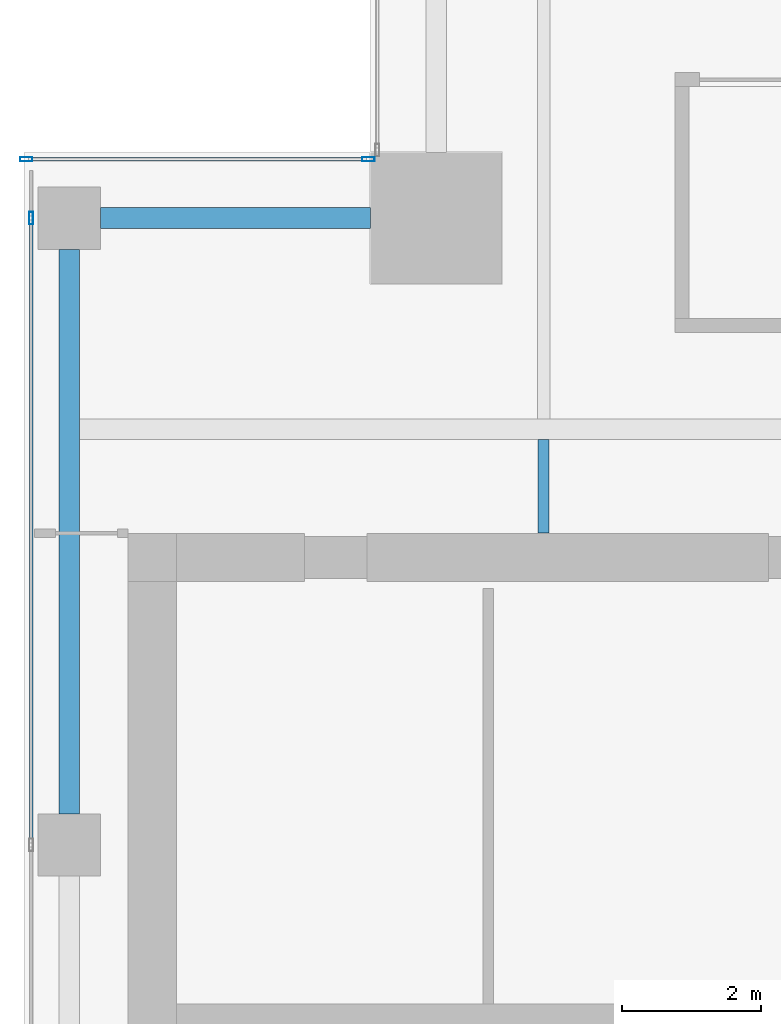
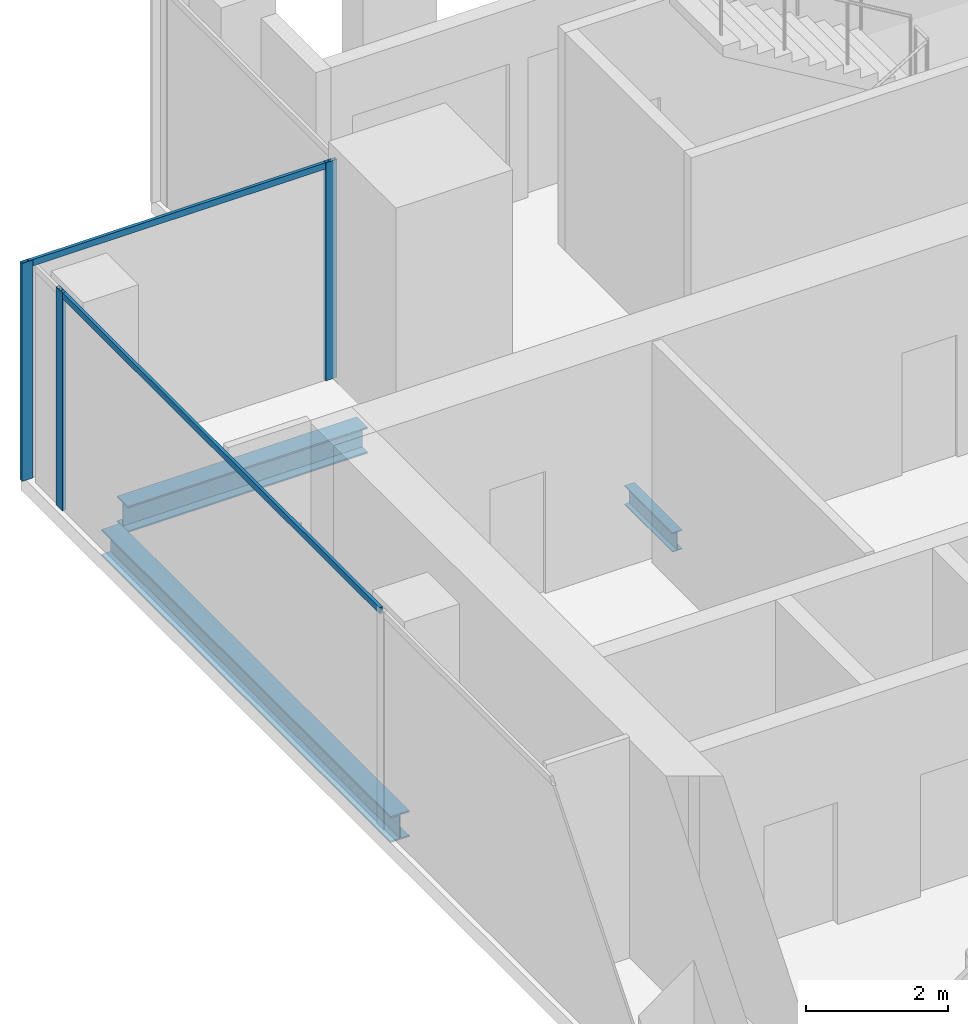
# One storey, part 16 of 35: 5 members, 3 beams, 2 elements without a shape of their own.
"""IFC4 building model written with IfcOpenShell, lengths in metres."""

import ifcopenshell
import ifcopenshell.guid

model = None  # the IFC model being written
_history = None  # IfcOwnerHistory: only IFC2X3 demands one
_inside = {}  # id of a spatial element -> (the spatial element, [elements in it])
_under = {}  # id of a project, library or spatial element -> (it, [spatial elements below it])
_declared = {}  # id of a project -> (the project, [libraries it declares])
_typed = {}  # id of a type object -> (the type object, [elements of that type])
_made_of = {}  # id of a material, layer set ... -> (it, [elements and type objects made of it])


def new_model(schema):
    """Start an empty IFC model of exactly this schema.

    Asked for "IFC4X3", IfcOpenShell would pick the latest addendum, in which some entities
    have other attributes; the version numbers below select the first issue.
    IFC2X3 requires an IfcOwnerHistory on every rooted entity: one is made here for all.
    """
    global model, _history
    if schema == "IFC4X3":
        model = ifcopenshell.file(schema_version=(4, 3, 0, 0))
    else:
        model = ifcopenshell.file(schema=schema)
    _inside.clear()
    _under.clear()
    _declared.clear()
    _typed.clear()
    _made_of.clear()
    _history = None
    if model.schema == "IFC2X3":
        org = make("IfcOrganization", Name="unknown")
        user = make(
            "IfcPersonAndOrganization",
            ThePerson=make("IfcPerson", FamilyName="unknown"),
            TheOrganization=org,
        )
        app = make(
            "IfcApplication",
            ApplicationDeveloper=org,
            Version="unknown",
            ApplicationFullName="unknown",
            ApplicationIdentifier="unknown",
        )
        _history = make(
            "IfcOwnerHistory",
            OwningUser=user,
            OwningApplication=app,
            ChangeAction="ADDED",
            CreationDate=0,
        )
    return model


def make(cls, **values):
    """One entity of the class cls with the attributes given. An attribute that is None is left unset."""
    return model.create_entity(
        cls, **{name: value for name, value in values.items() if value is not None}
    )


def rooted(cls, **values):
    """An entity with a GlobalId (a new one), such as an element, a storey or a relation."""
    return make(cls, GlobalId=ifcopenshell.guid.new(), OwnerHistory=_history, **values)


def si_unit(unit_type, name, prefix=None):
    """IfcSIUnit, for example si_unit("LENGTHUNIT", "METRE", prefix="MILLI")."""
    return make("IfcSIUnit", UnitType=unit_type, Prefix=prefix, Name=name)


def assignment(units):
    """IfcUnitAssignment: the units of a project."""
    return None if units is None else make("IfcUnitAssignment", Units=units)


def point(xyz):
    """IfcCartesianPoint."""
    return None if xyz is None else make("IfcCartesianPoint", Coordinates=xyz)


def direction(xyz):
    """IfcDirection."""
    return None if xyz is None else make("IfcDirection", DirectionRatios=xyz)


def frame(location, z_axis=None, x_axis=None):
    """IfcAxis2Placement3D, a coordinate frame: its origin and axes. An axis left out is left unset."""
    return make(
        "IfcAxis2Placement3D",
        Location=point(location),
        Axis=direction(z_axis),
        RefDirection=direction(x_axis),
    )


def frame_2d(location, x_axis=None):
    """IfcAxis2Placement2D, a coordinate frame in the plane: its origin and x axis."""
    return make(
        "IfcAxis2Placement2D", Location=point(location), RefDirection=direction(x_axis)
    )


def origin():
    """The frame at (0, 0, 0) with its axes left unset."""
    return frame((0.0, 0.0, 0.0))


def origin_2d():
    """The frame at (0, 0) in the plane with its x axis left unset."""
    return frame_2d((0.0, 0.0))


def place(relative_to, where):
    """IfcLocalPlacement: puts the frame where relative to a parent placement (None: the world)."""
    return make(
        "IfcLocalPlacement", PlacementRelTo=relative_to, RelativePlacement=where
    )


def context(
    kind, dimensions, precision=None, world=None, true_north=None, identifier=None
):
    """IfcGeometricRepresentationContext, for example the 3D "Model" context."""
    return make(
        "IfcGeometricRepresentationContext",
        ContextIdentifier=identifier,
        ContextType=kind,
        CoordinateSpaceDimension=dimensions,
        Precision=precision,
        WorldCoordinateSystem=world,
        TrueNorth=true_north,
    )


def subcontext(parent, identifier, kind, view, scale=None):
    """IfcGeometricRepresentationSubContext, for example "Body" below "Model"."""
    return make(
        "IfcGeometricRepresentationSubContext",
        ContextIdentifier=identifier,
        ContextType=kind,
        ParentContext=parent,
        TargetScale=scale,
        TargetView=view,
    )


def project(units=None, contexts=None):
    """IfcProject with its units and contexts."""
    return rooted(
        "IfcProject",
        Name="project",
        RepresentationContexts=contexts,
        UnitsInContext=assignment(units),
    )


def spatial(cls, under=None, at=None, **own):
    """A site, building, storey or space (cls), placed at a placement, below another one or the project."""
    s = rooted(cls, ObjectPlacement=at, **own)
    if under is not None:
        _under.setdefault(under.id(), (under, []))[1].append(s)
    return s


def profile(cls, at=None, kind="AREA", **sizes):
    """A parametric profile (cls). Its sizes go by their IFC names, for example OverallWidth=200.0."""
    return make(cls, ProfileType=kind, Position=at, **sizes)


def hollow_rectangle(**sizes):
    """IfcRectangleHollowProfileDef."""
    return profile("IfcRectangleHollowProfileDef", **sizes)


def i_section(**sizes):
    """IfcIShapeProfileDef."""
    return profile("IfcIShapeProfileDef", **sizes)


def extrude(swept, where, along, depth):
    """IfcExtrudedAreaSolid: the profile swept, set in the frame where, extruded along a direction by depth."""
    return make(
        "IfcExtrudedAreaSolid",
        SweptArea=swept,
        Position=where,
        ExtrudedDirection=direction(along),
        Depth=depth,
    )


def shape(context_of_items, identifier, shape_type, items):
    """IfcShapeRepresentation: the items that make up one representation, for example the "Body"."""
    return make(
        "IfcShapeRepresentation",
        ContextOfItems=context_of_items,
        RepresentationIdentifier=identifier,
        RepresentationType=shape_type,
        Items=items,
    )


def source(mapping_origin, context_of_items, identifier, shape_type, items):
    """IfcRepresentationMap: a shape defined once, which mapped items show again and again."""
    return make(
        "IfcRepresentationMap",
        MappingOrigin=mapping_origin,
        MappedRepresentation=shape(context_of_items, identifier, shape_type, items),
    )


def transform(
    local_origin,
    x_axis=None,
    y_axis=None,
    z_axis=None,
    scale=None,
    scale2=None,
    scale3=None,
    uniform=True,
):
    """IfcCartesianTransformationOperator3D, or its non-uniform kind. x_axis, y_axis, z_axis: its Axis1, 2, 3."""
    if uniform:
        return make(
            "IfcCartesianTransformationOperator3D",
            Axis1=direction(x_axis),
            Axis2=direction(y_axis),
            LocalOrigin=point(local_origin),
            Scale=scale,
            Axis3=direction(z_axis),
        )
    return make(
        "IfcCartesianTransformationOperator3DnonUniform",
        Axis1=direction(x_axis),
        Axis2=direction(y_axis),
        LocalOrigin=point(local_origin),
        Scale=scale,
        Axis3=direction(z_axis),
        Scale2=scale2,
        Scale3=scale3,
    )


def mapped(mapping_source, mapping_target):
    """IfcMappedItem: shows the shape of a source again, moved by a transform."""
    return make(
        "IfcMappedItem", MappingSource=mapping_source, MappingTarget=mapping_target
    )


def material(Name=None, Category=None):
    """IfcMaterial."""
    return make("IfcMaterial", Name=Name, Category=Category)


def material_profile(
    of_material, cross_section, Name=None, Category=None, Priority=None
):
    """IfcMaterialProfile: a cross section and its material."""
    return make(
        "IfcMaterialProfile",
        Name=Name,
        Material=of_material,
        Profile=cross_section,
        Priority=Priority,
        Category=Category,
    )


def profile_set(profiles, Name=None, composite=None):
    """IfcMaterialProfileSet."""
    return make(
        "IfcMaterialProfileSet",
        Name=Name,
        MaterialProfiles=profiles,
        CompositeProfile=composite,
    )


def made_of(thing, what):
    """Note that an element or type object is made of a material, layer set ...; save() writes the relation."""
    if what is not None:
        _made_of.setdefault(what.id(), (what, []))[1].append(thing)
    return thing


def type_object(cls, material=None, **own):
    """A type object (cls), such as IfcWallType, which elements share."""
    return made_of(rooted(cls, **own), material)


def element(
    cls,
    number,
    at=None,
    inside=None,
    cuts=None,
    type_object=None,
    material=None,
    context=None,
    identifier="Body",
    shape_type=None,
    held_by="IfcProductDefinitionShape",
    body=None,
    shapes=None,
    **own,
):
    """One element of the class cls, such as IfcWall. Its Tag is "e" and its number.

    at: its placement. inside: the storey or other place that contains it. cuts: it is an
    opening in that element (IfcRelVoidsElement). A single representation is given by context,
    identifier, shape_type and body (its items); several are given by shapes. held_by: the class
    of the entity that holds the representations. save() writes the other relations.
    """
    e = rooted(cls, Tag="e%d" % number, ObjectPlacement=at, **own)
    if body is not None:
        shapes = [shape(context, identifier, shape_type, body)]
    if shapes is not None:
        e.Representation = make(held_by, Representations=shapes)
    if inside is not None:
        _inside.setdefault(inside.id(), (inside, []))[1].append(e)
    if cuts is not None:
        rooted(
            "IfcRelVoidsElement", RelatingBuildingElement=cuts, RelatedOpeningElement=e
        )
    if type_object is not None:
        _typed.setdefault(type_object.id(), (type_object, []))[1].append(e)
    return made_of(e, material)


def aggregate(whole, parts):
    """IfcRelAggregates: a whole, such as a stair, and the parts it consists of."""
    return rooted("IfcRelAggregates", RelatingObject=whole, RelatedObjects=parts)


def save(model, path):
    """Write the relations noted so far, then the file.

    IfcRelAggregates (storeys below a building ...), IfcRelContainedInSpatialStructure (elements
    in a storey), IfcRelDefinesByType, IfcRelAssociatesMaterial and IfcRelDeclares: one each for
    every whole, place, type object, material and project.
    """
    for whole, parts in _under.values():
        aggregate(whole, parts)
    for where, things in _inside.values():
        rooted(
            "IfcRelContainedInSpatialStructure",
            RelatedElements=things,
            RelatingStructure=where,
        )
    for kind, things in _typed.values():
        rooted("IfcRelDefinesByType", RelatedObjects=things, RelatingType=kind)
    for what, things in _made_of.values():
        rooted("IfcRelAssociatesMaterial", RelatedObjects=things, RelatingMaterial=what)
    for by, libraries in _declared.values():
        rooted("IfcRelDeclares", RelatingContext=by, RelatedDefinitions=libraries)
    model.write(path)


model = new_model("IFC4")

# Units and contexts
model_context = context("Model", 3, precision=1e-05, world=origin(), true_north=direction((0.0, 1.0)))
body_context = subcontext(model_context, "Body", "Model", "MODEL_VIEW")
ifc_project = project(units=[si_unit("LENGTHUNIT", "METRE"), si_unit("AREAUNIT", "SQUARE_METRE"), si_unit("VOLUMEUNIT", "CUBIC_METRE"), si_unit("PLANEANGLEUNIT", "RADIAN"), si_unit("MASSUNIT", "GRAM", prefix="KILO")], contexts=[model_context])

# Site, building, storey
site_placement = place(None, origin())
site = spatial("IfcSite", under=ifc_project, at=site_placement, CompositionType="ELEMENT")
building_placement = place(site_placement, origin())
building = spatial("IfcBuilding", under=site, at=building_placement, Name="Khomas Fold Tower", CompositionType="ELEMENT")
storey_placement = place(building_placement, frame((0.0, 0.0, 262.199951171875)))
storey = spatial("IfcBuildingStorey", under=building, at=storey_placement, Name="L59", CompositionType="ELEMENT", Elevation=262.199951171875)

# Beams
ifc_material_1 = material(Name="Steel S355", Category="steel")
ifc_material_profile_1 = material_profile(ifc_material_1, i_section(OverallWidth=0.159912109375, OverallDepth=0.330078125, WebThickness=0.007568359375, FlangeThickness=0.011474609375, at=origin_2d()), Name="IPE 330")
ifc_profile_set_1 = profile_set([ifc_material_profile_1], Name="Steel S355")
beam_type_1 = type_object("IfcBeamType", Name="IPE 330 beam JB1", PredefinedType="BEAM", material=ifc_profile_set_1)
shared_shape_1 = source(origin(), body_context, "Body", "SweptSolid", [
    extrude(i_section(OverallWidth=0.159912109375, OverallDepth=0.330078125, WebThickness=0.007568359375, FlangeThickness=0.011474609375, at=origin_2d()), origin(), (0.0, 0.0, 1.0), 1.35009765625),
])
beam_1_placement = place(storey_placement, frame((12.0, 39.0, -0.4150390625), z_axis=(0.0, 1.0, 0.0), x_axis=(-1.0, 0.0, 0.0)))
element("IfcBeam", 1, at=beam_1_placement, inside=storey, type_object=beam_type_1, Name="JB1", PredefinedType="BEAM", context=body_context, shape_type="MappedRepresentation", body=[
    mapped(shared_shape_1, transform((0.0, 0.0, 0.0))),
])
ifc_material_2 = material(Name="Steel S355", Category="steel")
ifc_material_profile_2 = material_profile(ifc_material_2, i_section(OverallWidth=0.300048828125, OverallDepth=0.449951171875, WebThickness=0.013916015625, FlangeThickness=0.02587890625, at=origin_2d()), Name="HE 450 B")
ifc_profile_set_2 = profile_set([ifc_material_profile_2], Name="Steel S355")
beam_type_2 = type_object("IfcBeamType", Name="HE 450 B spandrel SB4", PredefinedType="SPANDREL", material=ifc_profile_set_2)
shared_shape_2 = source(origin(), body_context, "Body", "SweptSolid", [
    extrude(i_section(OverallWidth=0.300048828125, OverallDepth=0.449951171875, WebThickness=0.013916015625, FlangeThickness=0.02587890625, at=origin_2d()), origin(), (0.0, 0.0, 1.0), 8.150146484375),
])
beam_2_placement = place(storey_placement, frame((5.14990234375, 34.949951171875, -0.474853515625), z_axis=(0.0, 1.0, 0.0), x_axis=(-1.0, 0.0, 0.0)))
element("IfcBeam", 2, at=beam_2_placement, inside=storey, type_object=beam_type_2, Name="SB4", PredefinedType="SPANDREL", context=body_context, shape_type="MappedRepresentation", body=[
    mapped(shared_shape_2, transform((0.0, 0.0, 0.0))),
])
shared_shape_3 = source(origin(), body_context, "Body", "SweptSolid", [
    extrude(i_section(OverallWidth=0.300048828125, OverallDepth=0.449951171875, WebThickness=0.013916015625, FlangeThickness=0.02587890625, at=origin_2d()), origin(), (0.0, 0.0, 1.0), 3.89990234375),
])
beam_3_placement = place(storey_placement, frame((5.60009765625, 43.550048828125, -0.474853515625), z_axis=(1.0, 0.0, 0.0), x_axis=(0.0, 1.0, 0.0)))
element("IfcBeam", 3, at=beam_3_placement, inside=storey, type_object=beam_type_2, Name="SB4", PredefinedType="SPANDREL", context=body_context, shape_type="MappedRepresentation", body=[
    mapped(shared_shape_3, transform((0.0, 0.0, 0.0))),
])

# Curtain wall, members
ifc_material_3 = material(Name="Aluminium framed double glazing", Category="aluminium")
curtain_wall_type = type_object("IfcCurtainWallType", Name="SK-Unitised clear-glass wall, office floors CW2", PredefinedType="NOTDEFINED", material=ifc_material_3)
curtain_wall_1_placement = place(storey_placement, origin())
curtain_wall_1 = element("IfcCurtainWall", 4, at=curtain_wall_1_placement, inside=storey, type_object=curtain_wall_type, Name="CW2 corner return L59 08", PredefinedType="NOTDEFINED")
ifc_material_4 = material(Name="Aluminium", Category="aluminium")
ifc_material_profile_3 = material_profile(ifc_material_4, hollow_rectangle(XDim=0.06005859375, YDim=0.179931640625, WallThickness=0.00390625, at=origin_2d()), Name="SK-Unitised clear-glass wall, office floors mullion CW2-M")
ifc_profile_set_3 = profile_set([ifc_material_profile_3], Name="Aluminium")
member_type_1 = type_object("IfcMemberType", Name="SK-Unitised clear-glass wall, office floors mullion CW2-M", PredefinedType="MULLION", material=ifc_profile_set_3)
shared_shape_4 = source(origin(), body_context, "Body", "SweptSolid", [
    extrude(hollow_rectangle(XDim=0.06005859375, YDim=0.179931640625, WallThickness=0.00390625, at=origin_2d()), origin(), (0.0, 0.0, 1.0), 3.75),
])
member_1_placement = place(storey_placement, frame((9.469970703125, 44.39990234375, 0.0), z_axis=(0.0, 0.0, 1.0), x_axis=(0.0, -1.0, 0.0)))
member_1 = element("IfcMember", 5, at=member_1_placement, type_object=member_type_1, Name="CW2 mullion 1", PredefinedType="MULLION", context=body_context, shape_type="MappedRepresentation", body=[
    mapped(shared_shape_4, transform((0.0, 0.0, 0.0))),
])
member_2_placement = place(storey_placement, frame((4.530029296875, 44.39990234375, 0.0), z_axis=(0.0, 0.0, 1.0), x_axis=(0.0, -1.0, 0.0)))
member_2 = element("IfcMember", 6, at=member_2_placement, type_object=member_type_1, Name="CW2 mullion 2", PredefinedType="MULLION", context=body_context, shape_type="MappedRepresentation", body=[
    mapped(shared_shape_4, transform((0.0, 0.0, 0.0))),
])

curtain_wall_2_placement = place(storey_placement, origin())
curtain_wall_2 = element("IfcCurtainWall", 7, at=curtain_wall_2_placement, inside=storey, type_object=curtain_wall_type, Name="CW2 run L59 09-0", PredefinedType="NOTDEFINED")
member_3_placement = place(storey_placement, frame((4.60009765625, 43.550048828125, 0.0), z_axis=(0.0, 0.0, 1.0), x_axis=(1.0, 0.0, 0.0)))
member_3 = element("IfcMember", 8, at=member_3_placement, type_object=member_type_1, Name="CW2 mullion 2", PredefinedType="MULLION", context=body_context, shape_type="MappedRepresentation", body=[
    mapped(shared_shape_4, transform((0.0, 0.0, 0.0))),
])
ifc_material_5 = material(Name="Aluminium", Category="aluminium")
ifc_material_profile_4 = material_profile(ifc_material_5, hollow_rectangle(XDim=0.050048828125, YDim=0.110107421875, WallThickness=0.00390625, at=origin_2d()), Name="SK-Unitised clear-glass wall, office floors transom CW2-T")
ifc_profile_set_4 = profile_set([ifc_material_profile_4], Name="Aluminium")
member_type_2 = type_object("IfcMemberType", Name="SK-Unitised clear-glass wall, office floors transom CW2-T", PredefinedType="USERDEFINED", material=ifc_profile_set_4)
shared_shape_5 = source(origin(), body_context, "Body", "SweptSolid", [
    extrude(hollow_rectangle(XDim=0.050048828125, YDim=0.110107421875, WallThickness=0.00390625, at=origin_2d()), origin(), (0.0, 0.0, 1.0), 8.989990234375),
])
member_4_placement = place(storey_placement, frame((4.60009765625, 43.52001953125, 3.695068359375), z_axis=(0.0, -1.0, 0.0), x_axis=(1.0, 0.0, 0.0)))
member_4 = element("IfcMember", 9, at=member_4_placement, type_object=member_type_2, Name="CW2 transom 2", ObjectType="TRANSOM", PredefinedType="USERDEFINED", context=body_context, shape_type="MappedRepresentation", body=[
    mapped(shared_shape_5, transform((0.0, 0.0, 0.0))),
])
aggregate(curtain_wall_2, [member_3, member_4])

# Member
shared_shape_6 = source(origin(), body_context, "Body", "SweptSolid", [
    extrude(hollow_rectangle(XDim=0.050048828125, YDim=0.110107421875, WallThickness=0.00390625, at=origin_2d()), origin(), (0.0, 0.0, 1.0), 4.8798828125),
])
member_5_placement = place(storey_placement, frame((9.43994140625, 44.39990234375, 3.695068359375), z_axis=(-1.0, 0.0, 0.0), x_axis=(0.0, -1.0, 0.0)))
member_5 = element("IfcMember", 10, at=member_5_placement, type_object=member_type_2, Name="CW2 transom 1", ObjectType="TRANSOM", PredefinedType="USERDEFINED", context=body_context, shape_type="MappedRepresentation", body=[
    mapped(shared_shape_6, transform((0.0, 0.0, 0.0))),
])

aggregate(curtain_wall_1, [member_1, member_2, member_5])

save(model, "model.ifc")
